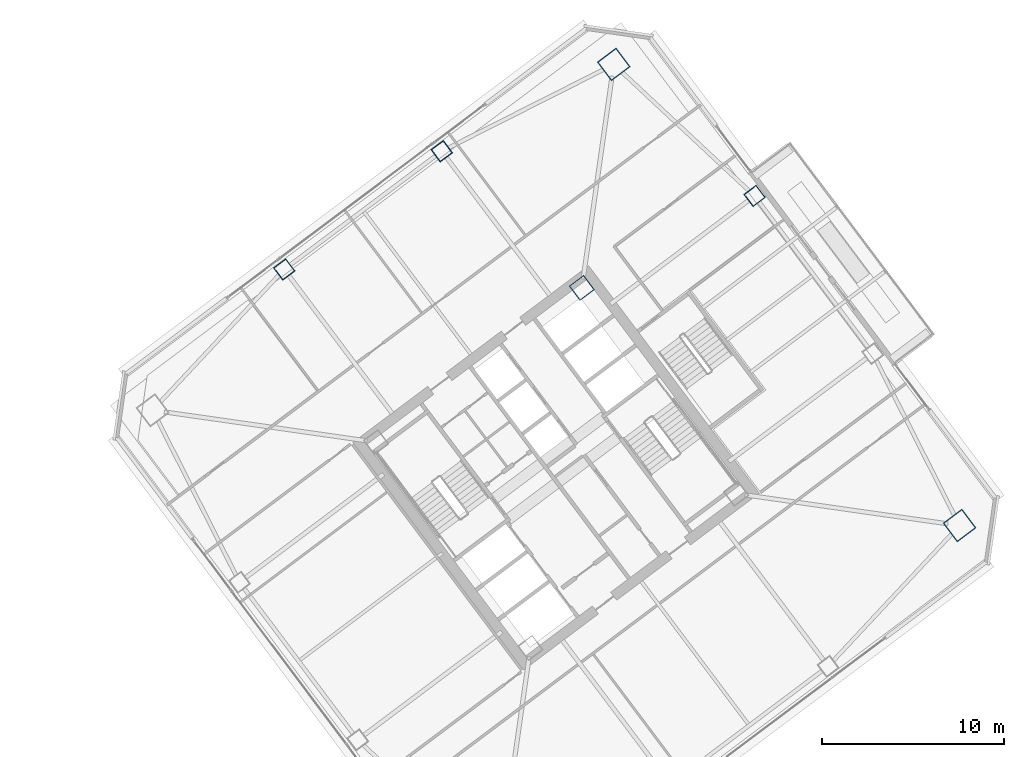
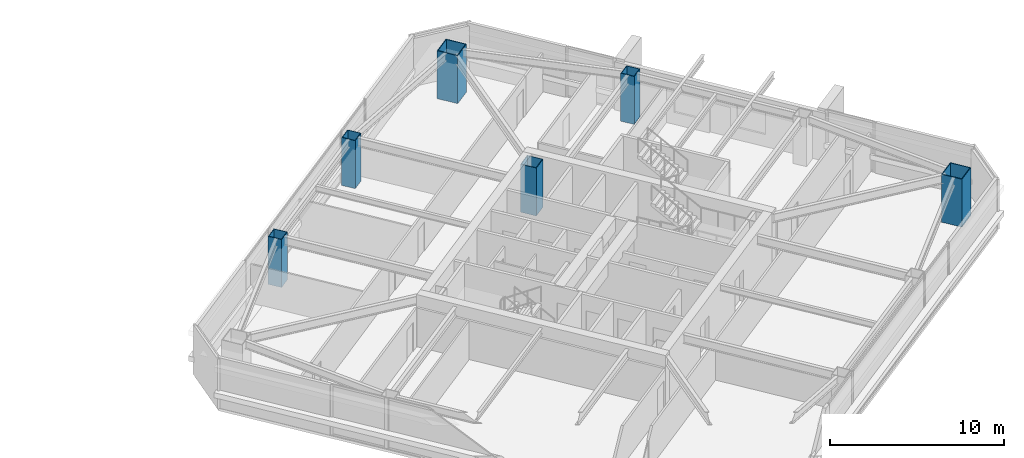
# One storey, part 2 of 41: 6 columns.
"""IFC4 building model written with IfcOpenShell, lengths in metres."""

from ifc_helpers import new_model, si_unit, direction, frame, origin, origin_2d, place, context, subcontext, project, spatial, hollow_rectangle, extrude, material, material_profile, profile_set, type_object, element, save


model = new_model("IFC4")

# Units and contexts
model_context = context("Model", 3, precision=1e-05, world=origin(), true_north=direction((0.0, 1.0)))
body_context = subcontext(model_context, "Body", "Model", "MODEL_VIEW")
ifc_project = project(units=[si_unit("LENGTHUNIT", "METRE"), si_unit("AREAUNIT", "SQUARE_METRE"), si_unit("VOLUMEUNIT", "CUBIC_METRE"), si_unit("PLANEANGLEUNIT", "RADIAN"), si_unit("MASSUNIT", "GRAM", prefix="KILO")], contexts=[model_context])

# Site, building, storey
site_placement = place(None, origin())
site = spatial("IfcSite", under=ifc_project, at=site_placement, CompositionType="ELEMENT")
building_placement = place(site_placement, origin())
building = spatial("IfcBuilding", under=site, at=building_placement, Name="Tashvorn Skyway Center", CompositionType="ELEMENT")
storey_placement = place(building_placement, frame((0.0, 0.0, 146.35009765625)))
storey = spatial("IfcBuildingStorey", under=building, at=storey_placement, Name="L39", CompositionType="ELEMENT", Elevation=146.35009765625)

# Columns
ifc_material = material(Name="Steel ASTM A572 Grade 50", Category="steel")
ifc_material_profile_1 = material_profile(ifc_material, hollow_rectangle(XDim=1.0, YDim=1.0, WallThickness=0.0400390625, at=origin_2d()), Name="BOX1000x1000x40")
ifc_profile_set_1 = profile_set([ifc_material_profile_1], Name="Steel ASTM A572 Grade 50")
column_type_1 = type_object("IfcColumnType", Name="COL-BOX1000x1000x40", PredefinedType="COLUMN", material=ifc_profile_set_1)
column_placement = place(storey_placement, frame((115.409912109375, 41.8701171875, 0.0), z_axis=(0.0, 0.0, 1.0), x_axis=(0.799999996291, 0.600000004945, 0.0)))
element("IfcColumn", 1, at=column_placement, inside=storey, type_object=column_type_1, Name="Tower 2 L39 Core Corner Column CC-NE", PredefinedType="COLUMN", context=body_context, shape_type="SweptSolid", body=[
    extrude(hollow_rectangle(XDim=1.0, YDim=1.0, WallThickness=0.0400390625, at=origin_2d()), origin(), (0.0, 0.0, 1.0), 3.369873046875),
])
ifc_material_profile_2 = material_profile(ifc_material, hollow_rectangle(XDim=1.300048828125, YDim=1.300048828125, WallThickness=0.050048828125, at=origin_2d()), Name="BOX1300x1300x50")
ifc_profile_set_2 = profile_set([ifc_material_profile_2], Name="Steel ASTM A572 Grade 50")
column_type_2 = type_object("IfcColumnType", Name="COL-BOX1300x1300x50", PredefinedType="COLUMN", material=ifc_profile_set_2)
for number, where, z_axis, x_axis, name in (
    (2, (136.1201171875, 28.840087890625, 0.0), (0.0, 0.0, 1.0), (0.799999996291, 0.600000004945, 0.0), "Tower 2 L39 Mega-Column MC-SE"),
    (3, (117.159912109375, 54.1201171875, 0.0), (0.0, 0.0, 1.0), (0.799999996291, 0.600000004945, 0.0), "Tower 2 L39 Mega-Column MC-NE"),
):
    element("IfcColumn", number, at=place(storey_placement, frame(where, z_axis=z_axis, x_axis=x_axis)), inside=storey, type_object=column_type_2, Name=name, PredefinedType="COLUMN", context=body_context, shape_type="SweptSolid", body=[
        extrude(hollow_rectangle(XDim=1.300048828125, YDim=1.300048828125, WallThickness=0.050048828125, at=origin_2d()), origin(), (0.0, 0.0, 1.0), 3.369873046875),
    ])
ifc_material_profile_3 = material_profile(ifc_material, hollow_rectangle(XDim=0.85009765625, YDim=0.85009765625, WallThickness=0.034912109375, at=origin_2d()), Name="BOX850x850x35")
ifc_profile_set_3 = profile_set([ifc_material_profile_3], Name="Steel ASTM A572 Grade 50")
column_type_3 = type_object("IfcColumnType", Name="COL-BOX850x850x35", PredefinedType="COLUMN", material=ifc_profile_set_3)
for number, where, z_axis, x_axis, name in (
    (4, (124.8798828125, 46.909912109375, 0.0), (0.0, 0.0, 1.0), (0.799999996291, 0.600000004945, 0.0), "Tower 2 L39 Perimeter Column FC-E2"),
    (5, (107.72998046875, 49.360107421875, 0.0), (0.0, 0.0, 1.0), (0.799999996291, 0.600000004945, 0.0), "Tower 2 L39 Perimeter Column FC-N1"),
    (6, (99.090087890625, 42.8798828125, 0.0), (0.0, 0.0, 1.0), (0.799999996291, 0.600000004945, 0.0), "Tower 2 L39 Perimeter Column FC-N2"),
):
    element("IfcColumn", number, at=place(storey_placement, frame(where, z_axis=z_axis, x_axis=x_axis)), inside=storey, type_object=column_type_3, Name=name, PredefinedType="COLUMN", context=body_context, shape_type="SweptSolid", body=[
        extrude(hollow_rectangle(XDim=0.85009765625, YDim=0.85009765625, WallThickness=0.034912109375, at=origin_2d()), origin(), (0.0, 0.0, 1.0), 3.369873046875),
    ])

save(model, "model.ifc")
